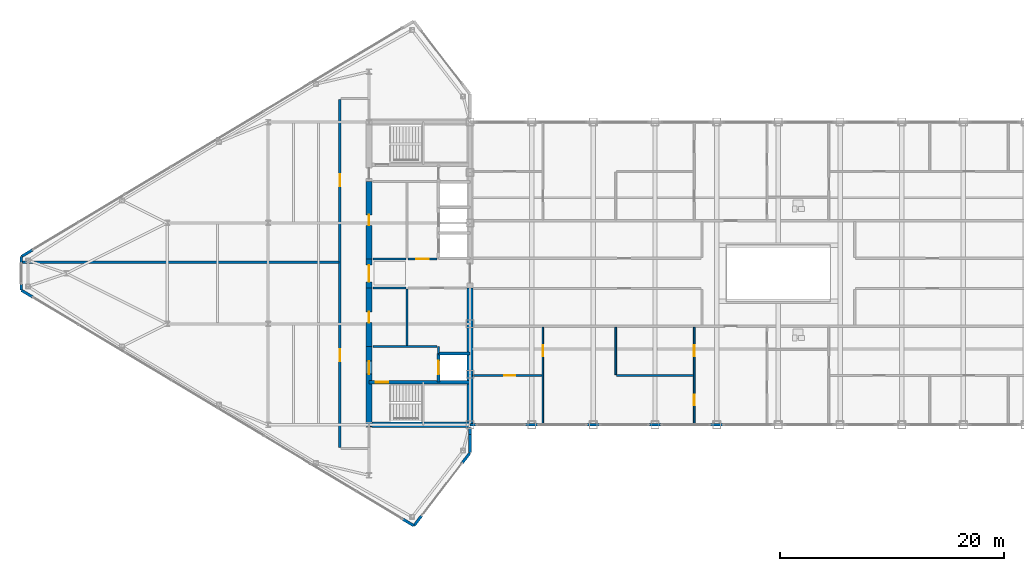
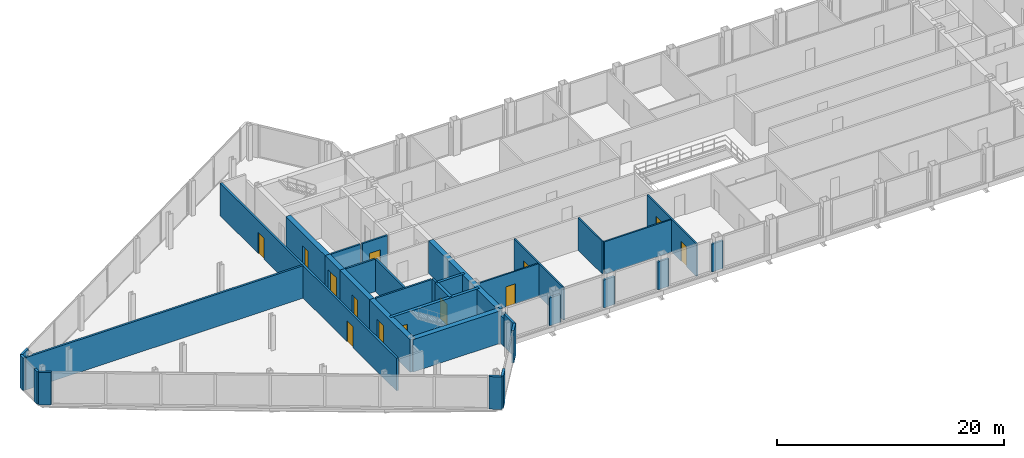
# One storey, part 21 of 28: 36 walls, 13 doors, 13 openings.
"""IFC4 building model written with IfcOpenShell, lengths in metres."""

from ifc_helpers import new_model, si_unit, direction, frame, frame_2d, origin, place, context, subcontext, project, spatial, rectangle, extrude, source, transform, mapped, material, layer, layer_set, type_object, type_shapes, element, fill, save


model = new_model("IFC4")

# Units and contexts
model_context = context("Model", 3, precision=1e-05, world=origin(), true_north=direction((0.0, 1.0)))
body_context = subcontext(model_context, "Body", "Model", "MODEL_VIEW")
ifc_project = project(units=[si_unit("LENGTHUNIT", "METRE"), si_unit("AREAUNIT", "SQUARE_METRE"), si_unit("VOLUMEUNIT", "CUBIC_METRE"), si_unit("PLANEANGLEUNIT", "RADIAN"), si_unit("MASSUNIT", "GRAM", prefix="KILO")], contexts=[model_context])

# Site, building, storey
site_placement = place(None, origin())
site = spatial("IfcSite", under=ifc_project, at=site_placement, CompositionType="ELEMENT")
building_placement = place(site_placement, origin())
building = spatial("IfcBuilding", under=site, at=building_placement, Name="Seokmaru Belvedere", CompositionType="ELEMENT")
storey_placement = place(building_placement, frame((0.0, 0.0, 265.64990234375)))
storey = spatial("IfcBuildingStorey", under=building, at=storey_placement, Name="L70", CompositionType="ELEMENT", Elevation=265.64990234375)

# Wall, opening, door
ifc_material_1 = material(Name="Fire-Rated Gypsum Shaftwall")
ifc_layer_1 = layer(ifc_material_1, 0.14990234375)
ifc_layer_set_1 = layer_set([ifc_layer_1], Name="Fire-Rated Gypsum Shaftwall")
wall_type_1 = type_object("IfcWallType", Name="Apartment Fire-Acoustic Room Partition 150", PredefinedType="PARTITIONING", material=ifc_layer_set_1)
wall_1_placement = place(storey_placement, frame((-27.2451171875, -9.10009765625, 0.0), z_axis=(0.0, 0.0, 1.0), x_axis=(1.0, 0.0, 0.0)))
wall_1 = element("IfcWall", 1, at=wall_1_placement, inside=storey, type_object=wall_type_1, Name="L70 Interior Partition 004", PredefinedType="PARTITIONING", context=body_context, shape_type="SweptSolid", body=[
    extrude(rectangle(XDim=6.16015625, YDim=0.14990234375, at=frame_2d((3.080078125, 0.0))), origin(), (0.0, 0.0, 1.0), 3.489990234375),
])
opening_1_placement = place(wall_1_placement, frame((2.820068359375, 0.0, 0.0)))
opening_1 = element("IfcOpeningElement", 2, at=opening_1_placement, cuts=wall_1, Name="Opening D05", PredefinedType="OPENING", context=body_context, shape_type="SweptSolid", body=[
    extrude(rectangle(XDim=0.949951171875, YDim=2.14990234375, at=frame_2d((0.47509765625, 1.074951171875))), frame((0.0, 0.0849609375, 0.0), z_axis=(0.0, -1.0, 0.0), x_axis=(1.0, 0.0, 0.0)), (0.0, 0.0, 1.0), 0.169921875),
])
ifc_material_2 = material(Name="Engineered White Oak Timber", Category="wood")
door_type_1 = type_object("IfcDoorType", Name="Apartment Interior Fire-Rated Oak Door 950x2150", OperationType="NOTDEFINED", PredefinedType="DOOR", material=ifc_material_2)
shared_shape_1 = source(origin(), body_context, "Body", "SweptSolid", [
    extrude(rectangle(XDim=0.949951171875, YDim=2.14990234375, at=frame_2d((0.47509765625, 1.074951171875))), frame((0.0, 0.02490234375, 0.0), z_axis=(0.0, -1.0, 0.0), x_axis=(1.0, 0.0, 0.0)), (0.0, 0.0, 1.0), 0.050048828125),
])
type_shapes(door_type_1, [shared_shape_1])
door_1_placement = place(opening_1_placement, origin())
door_1 = element("IfcDoor", 3, at=door_1_placement, inside=storey, type_object=door_type_1, Name="L70 Interior Door 024", OperationType="SINGLE_SWING_RIGHT", OverallHeight=2.14990234375, OverallWidth=0.949951171875, PredefinedType="DOOR", context=body_context, shape_type="MappedRepresentation", body=[
    mapped(shared_shape_1, transform((0.0, 0.0, 0.0), scale=1.0)),
])
fill(opening_1, door_1)

# Wall
wall_2_placement = place(storey_placement, frame((-14.4150390625, -9.10009765625, 0.0), z_axis=(0.0, 0.0, 1.0), x_axis=(1.0, 0.0, 0.0)))
element("IfcWall", 4, at=wall_2_placement, inside=storey, type_object=wall_type_1, Name="L70 Interior Partition 005", PredefinedType="PARTITIONING", context=body_context, shape_type="SweptSolid", body=[
    extrude(rectangle(XDim=6.830078125, YDim=0.14990234375, at=frame_2d((3.4150390625, 0.0))), origin(), (0.0, 0.0, 1.0), 3.489990234375),
])

# Wall, opening, door
wall_3_placement = place(storey_placement, frame((-21.0, -13.5, 0.0), z_axis=(0.0, 0.0, 1.0), x_axis=(0.0, 1.0, 0.0)))
wall_3 = element("IfcWall", 5, at=wall_3_placement, inside=storey, type_object=wall_type_1, Name="L70 Interior Partition 029", PredefinedType="PARTITIONING", context=body_context, shape_type="SweptSolid", body=[
    extrude(rectangle(XDim=8.715087890625, YDim=0.14990234375, at=frame_2d((4.357421875, 0.0))), origin(), (0.0, 0.0, 1.0), 3.489990234375),
])
opening_2_placement = place(wall_3_placement, frame((6.125, 0.0, 0.0)))
opening_2 = element("IfcOpeningElement", 6, at=opening_2_placement, cuts=wall_3, Name="Opening D05", PredefinedType="OPENING", context=body_context, shape_type="SweptSolid", body=[
    extrude(rectangle(XDim=0.949951171875, YDim=2.14990234375, at=frame_2d((0.47509765625, 1.074951171875))), frame((0.0, 0.0849609375, 0.0), z_axis=(0.0, -1.0, 0.0), x_axis=(1.0, 0.0, 0.0)), (0.0, 0.0, 1.0), 0.169921875),
])
door_2_placement = place(opening_2_placement, origin())
door_2 = element("IfcDoor", 7, at=door_2_placement, inside=storey, type_object=door_type_1, Name="L70 Interior Door 023", OperationType="SINGLE_SWING_LEFT", OverallHeight=2.14990234375, OverallWidth=0.949951171875, PredefinedType="DOOR", context=body_context, shape_type="MappedRepresentation", body=[
    mapped(shared_shape_1, transform((0.0, 0.0, 0.0), scale=1.0)),
])
fill(opening_2, door_2)

# Wall
wall_4_placement = place(storey_placement, frame((-14.5, -9.014892578125, 0.0), z_axis=(0.0, 0.0, 1.0), x_axis=(0.0, 1.0, 0.0)))
element("IfcWall", 8, at=wall_4_placement, inside=storey, type_object=wall_type_1, Name="L70 Interior Partition 031", PredefinedType="PARTITIONING", context=body_context, shape_type="SweptSolid", body=[
    extrude(rectangle(XDim=4.22998046875, YDim=0.14990234375, at=frame_2d((2.114990234375, 0.0))), origin(), (0.0, 0.0, 1.0), 3.489990234375),
])

# Wall, openings, doors
wall_5_placement = place(storey_placement, frame((-7.5, -13.5, 0.0), z_axis=(0.0, 0.0, 1.0), x_axis=(0.0, 1.0, 0.0)))
wall_5 = element("IfcWall", 9, at=wall_5_placement, inside=storey, type_object=wall_type_1, Name="L70 Interior Partition 033", PredefinedType="PARTITIONING", context=body_context, shape_type="SweptSolid", body=[
    extrude(rectangle(XDim=8.715087890625, YDim=0.14990234375, at=frame_2d((4.357421875, 0.0))), origin(), (0.0, 0.0, 1.0), 3.489990234375),
])
opening_3_placement = place(wall_5_placement, frame((6.125, 0.0, 0.0)))
opening_3 = element("IfcOpeningElement", 10, at=opening_3_placement, cuts=wall_5, Name="Opening D05", PredefinedType="OPENING", context=body_context, shape_type="SweptSolid", body=[
    extrude(rectangle(XDim=0.949951171875, YDim=2.14990234375, at=frame_2d((0.47509765625, 1.074951171875))), frame((0.0, 0.0849609375, 0.0), z_axis=(0.0, -1.0, 0.0), x_axis=(1.0, 0.0, 0.0)), (0.0, 0.0, 1.0), 0.169921875),
])
opening_4_placement = place(wall_5_placement, frame((1.72509765625, 0.0, 0.0)))
opening_4 = element("IfcOpeningElement", 11, at=opening_4_placement, cuts=wall_5, Name="Opening D05", PredefinedType="OPENING", context=body_context, shape_type="SweptSolid", body=[
    extrude(rectangle(XDim=0.949951171875, YDim=2.14990234375, at=frame_2d((0.47509765625, 1.074951171875))), frame((0.0, 0.0849609375, 0.0), z_axis=(0.0, -1.0, 0.0), x_axis=(1.0, 0.0, 0.0)), (0.0, 0.0, 1.0), 0.169921875),
])
door_3_placement = place(opening_3_placement, origin())
door_3 = element("IfcDoor", 12, at=door_3_placement, inside=storey, type_object=door_type_1, Name="L70 Interior Door 021", OperationType="SINGLE_SWING_LEFT", OverallHeight=2.14990234375, OverallWidth=0.949951171875, PredefinedType="DOOR", context=body_context, shape_type="MappedRepresentation", body=[
    mapped(shared_shape_1, transform((0.0, 0.0, 0.0), scale=1.0)),
])
fill(opening_3, door_3)
door_4_placement = place(opening_4_placement, origin())
door_4 = element("IfcDoor", 13, at=door_4_placement, inside=storey, type_object=door_type_1, Name="L70 Interior Door 022", OperationType="SINGLE_SWING_RIGHT", OverallHeight=2.14990234375, OverallWidth=0.949951171875, PredefinedType="DOOR", context=body_context, shape_type="MappedRepresentation", body=[
    mapped(shared_shape_1, transform((0.0, 0.0, 0.0), scale=1.0)),
])
fill(opening_4, door_4)

# Walls
ifc_material_3 = material(Name="Anodised Bronze Aluminium", Category="aluminium")
ifc_layer_2 = layer(ifc_material_3, 0.2099609375)
ifc_layer_set_2 = layer_set([ifc_layer_2], Name="Anodised Bronze Aluminium")
wall_type_2 = type_object("IfcWallType", Name="Bridge Column Spandrel Closure Pier 210", PredefinedType="SOLIDWALL", material=ifc_layer_set_2)
wall_6_placement = place(storey_placement, frame((-27.489990234375, -13.5, 0.0), z_axis=(0.0, 0.0, 1.0), x_axis=(1.0, 0.0, 0.0)))
element("IfcWall", 14, at=wall_6_placement, inside=storey, type_object=wall_type_2, Name="L70 Bridge South Column Closure Pier 01", PredefinedType="SOLIDWALL", context=body_context, shape_type="SweptSolid", body=[
    extrude(rectangle(XDim=0.5400390625, YDim=0.2099609375, at=frame_2d((0.27001953125, 0.0))), origin(), (0.0, 0.0, 1.0), 2.989990234375),
])
for number, where, z_axis, x_axis, name in (
    (15, (-22.550048828125, -13.5, 0.0), (0.0, 0.0, 1.0), (1.0, 0.0, 0.0), "L70 Bridge South Column Closure Pier 02"),
    (16, (-17.050048828125, -13.5, 0.0), (0.0, 0.0, 1.0), (1.0, 0.0, 0.0), "L70 Bridge South Column Closure Pier 03"),
    (17, (-11.550048828125, -13.5, 0.0), (0.0, 0.0, 1.0), (1.0, 0.0, 0.0), "L70 Bridge South Column Closure Pier 04"),
    (18, (-6.050048828125, -13.5, 0.0), (0.0, 0.0, 1.0), (1.0, 0.0, 0.0), "L70 Bridge South Column Closure Pier 05"),
):
    element("IfcWall", number, at=place(storey_placement, frame(where, z_axis=z_axis, x_axis=x_axis)), inside=storey, type_object=wall_type_2, Name=name, PredefinedType="SOLIDWALL", context=body_context, shape_type="SweptSolid", body=[
        extrude(rectangle(XDim=1.10009765625, YDim=0.2099609375, at=frame_2d((0.550048828125, 0.0))), origin(), (0.0, 0.0, 1.0), 2.989990234375),
    ])
ifc_layer_3 = layer(ifc_material_1, 0.179931640625)
ifc_layer_set_3 = layer_set([ifc_layer_3], Name="Fire-Rated Gypsum Shaftwall")
wall_type_3 = type_object("IfcWallType", Name="Core Service Fire Partition 180", PredefinedType="PARTITIONING", material=ifc_layer_set_3)
wall_7_placement = place(storey_placement, frame((-36.14990234375, -6.5, 0.0), z_axis=(0.0, 0.0, 1.0), x_axis=(1.0, 0.0, 0.0)))
element("IfcWall", 19, at=wall_7_placement, inside=storey, type_object=wall_type_3, Name="L70 West Firefighting Lobby Partition", PredefinedType="PARTITIONING", context=body_context, shape_type="SweptSolid", body=[
    extrude(rectangle(XDim=5.699951171875, YDim=0.179931640625, at=frame_2d((2.85009765625, 0.0))), origin(), (0.0, 0.0, 1.0), 3.489990234375),
])
wall_8_placement = place(storey_placement, frame((-30.300048828125, -7.1201171875, 0.0), z_axis=(0.0, 0.0, 1.0), x_axis=(0.0, 1.0, 0.0)))
element("IfcWall", 20, at=wall_8_placement, inside=storey, type_object=wall_type_3, Name="L70 West Firefighting Lobby East Closure Wall", PredefinedType="PARTITIONING", context=body_context, shape_type="SweptSolid", body=[
    extrude(rectangle(XDim=0.6201171875, YDim=0.179931640625, at=frame_2d((0.31005859375, 0.0))), origin(), (0.0, 0.0, 1.0), 3.489990234375),
])
wall_9_placement = place(storey_placement, frame((-33.10009765625, -6.419921875, 0.0), z_axis=(0.0, 0.0, 1.0), x_axis=(0.0, 1.0, 0.0)))
element("IfcWall", 21, at=wall_9_placement, inside=storey, type_object=wall_type_3, Name="L70 West South Core Service Back Wall", PredefinedType="PARTITIONING", context=body_context, shape_type="SweptSolid", body=[
    extrude(rectangle(XDim=5.0400390625, YDim=0.179931640625, at=frame_2d((2.52001953125, 0.0))), origin(), (0.0, 0.0, 1.0), 3.489990234375),
])

# Wall, opening, door
wall_10_placement = place(storey_placement, frame((-33.02001953125, 1.300048828125, 0.0), z_axis=(0.0, 0.0, 1.0), x_axis=(1.0, 0.0, 0.0)))
wall_10 = element("IfcWall", 22, at=wall_10_placement, inside=storey, type_object=wall_type_3, Name="L70 West North Lift Lobby Foyer Wall", PredefinedType="PARTITIONING", context=body_context, shape_type="SweptSolid", body=[
    extrude(rectangle(XDim=2.570068359375, YDim=0.179931640625, at=frame_2d((1.28515625, 0.0))), origin(), (0.0, 0.0, 1.0), 3.489990234375),
])
opening_5_placement = place(wall_10_placement, frame((0.7099609375, 0.0, 0.0)))
opening_5 = element("IfcOpeningElement", 23, at=opening_5_placement, cuts=wall_10, Name="Opening D02", PredefinedType="OPENING", context=body_context, shape_type="SweptSolid", body=[
    extrude(rectangle(XDim=1.14990234375, YDim=2.199951171875, at=frame_2d((0.574951171875, 1.10009765625))), frame((0.0, 0.10009765625, 0.0), z_axis=(0.0, -1.0, 0.0), x_axis=(1.0, 0.0, 0.0)), (0.0, 0.0, 1.0), 0.199951171875),
])
ifc_material_4 = material(Name="Fire-Rated Steel Leaf", Category="steel")
door_type_2 = type_object("IfcDoorType", Name="Lobby and Vestibule Fire Door 1150x2200", OperationType="NOTDEFINED", PredefinedType="DOOR", material=ifc_material_4)
shared_shape_2 = source(origin(), body_context, "Body", "SweptSolid", [
    extrude(rectangle(XDim=1.14990234375, YDim=2.199951171875, at=frame_2d((0.574951171875, 1.10009765625))), frame((0.0, 0.02490234375, 0.0), z_axis=(0.0, -1.0, 0.0), x_axis=(1.0, 0.0, 0.0)), (0.0, 0.0, 1.0), 0.050048828125),
])
type_shapes(door_type_2, [shared_shape_2])
door_5_placement = place(opening_5_placement, origin())
door_5 = element("IfcDoor", 24, at=door_5_placement, inside=storey, type_object=door_type_2, Name="L70 West North Lift Lobby Door", OperationType="SINGLE_SWING_RIGHT", OverallHeight=2.199951171875, OverallWidth=1.14990234375, PredefinedType="DOOR", context=body_context, shape_type="MappedRepresentation", body=[
    mapped(shared_shape_2, transform((0.0, 0.0, 0.0), scale=1.0)),
])
fill(opening_5, door_5)

# Walls
for number, where, z_axis, x_axis, name in (
    (25, (-36.14990234375, -1.300048828125, 0.0), (0.0, 0.0, 1.0), (1.0, 0.0, 0.0), "L70 West Foyer Side Wall S"),
    (26, (-36.14990234375, 1.300048828125, 0.0), (0.0, 0.0, 1.0), (1.0, 0.0, 0.0), "L70 West Foyer Side Wall N"),
):
    element("IfcWall", number, at=place(storey_placement, frame(where, z_axis=z_axis, x_axis=x_axis)), inside=storey, type_object=wall_type_3, Name=name, PredefinedType="PARTITIONING", context=body_context, shape_type="SweptSolid", body=[
        extrude(rectangle(XDim=2.949951171875, YDim=0.179931640625, at=frame_2d((1.47509765625, 0.0))), origin(), (0.0, 0.0, 1.0), 3.489990234375),
    ])
ifc_material_5 = material(Name="Concrete C50 (50 MPa)", Category="concrete")
ifc_layer_4 = layer(ifc_material_5, 0.25)
ifc_layer_set_4 = layer_set([ifc_layer_4], Name="Concrete C50 (50 MPa)")
wall_type_4 = type_object("IfcWallType", Name="Hoistway Transverse Concrete Divider Wall 250", PredefinedType="SHEAR", material=ifc_layer_set_4)
wall_11_placement = place(storey_placement, frame((-30.300048828125, -7.14990234375, 0.0), z_axis=(0.0, 0.0, 1.0), x_axis=(1.0, 0.0, 0.0)))
element("IfcWall", 27, at=wall_11_placement, inside=storey, type_object=wall_type_4, Name="L70 West Hoistway Divider Core Wall 1", PredefinedType="SHEAR", context=body_context, shape_type="SweptSolid", body=[
    extrude(rectangle(XDim=2.800048828125, YDim=0.25, at=frame_2d((1.39990234375, 0.0))), origin(), (0.0, 0.0, 1.0), 3.489990234375),
])
ifc_layer_5 = layer(ifc_material_1, 0.199951171875)
ifc_layer_set_5 = layer_set([ifc_layer_5], Name="Fire-Rated Gypsum Shaftwall")
wall_type_5 = type_object("IfcWallType", Name="Inter-Tenancy Fire Compartment Partition 200", PredefinedType="PARTITIONING", material=ifc_layer_set_5)
wall_12_placement = place(storey_placement, frame((-67.375, 1.0, 0.0), z_axis=(0.0, 0.0, 1.0), x_axis=(1.0, 0.0, 0.0)))
element("IfcWall", 28, at=wall_12_placement, inside=storey, type_object=wall_type_5, Name="L70 Interior Partition 015", PredefinedType="PARTITIONING", context=body_context, shape_type="SweptSolid", body=[
    extrude(rectangle(XDim=28.195068359375, YDim=0.199951171875, at=frame_2d((14.09765625, 0.0))), origin(), (0.0, 0.0, 1.0), 3.489990234375),
])

# Wall, openings, doors
wall_13_placement = place(storey_placement, frame((-39.10009765625, -15.514892578125, 0.0), z_axis=(0.0, 0.0, 1.0), x_axis=(0.0, 1.0, 0.0)))
wall_13 = element("IfcWall", 29, at=wall_13_placement, inside=storey, type_object=wall_type_5, Name="L70 Interior Partition 026", PredefinedType="PARTITIONING", context=body_context, shape_type="SweptSolid", body=[
    extrude(rectangle(XDim=31.02978515625, YDim=0.199951171875, at=frame_2d((15.514892578125, 0.0))), origin(), (0.0, 0.0, 1.0), 3.489990234375),
])
opening_6_placement = place(wall_13_placement, frame((7.68994140625, 0.0, 0.0)))
opening_6 = element("IfcOpeningElement", 30, at=opening_6_placement, cuts=wall_13, Name="Opening D03", PredefinedType="OPENING", context=body_context, shape_type="SweptSolid", body=[
    extrude(rectangle(XDim=1.050048828125, YDim=2.25, at=frame_2d((0.52490234375, 1.125))), frame((0.0, 0.10986328125, 0.0), z_axis=(0.0, -1.0, 0.0), x_axis=(1.0, 0.0, 0.0)), (0.0, 0.0, 1.0), 0.219970703125),
])
opening_7_placement = place(wall_13_placement, frame((23.2900390625, 0.0, 0.0)))
opening_7 = element("IfcOpeningElement", 31, at=opening_7_placement, cuts=wall_13, Name="Opening D03", PredefinedType="OPENING", context=body_context, shape_type="SweptSolid", body=[
    extrude(rectangle(XDim=1.050048828125, YDim=2.25, at=frame_2d((0.52490234375, 1.125))), frame((0.0, 0.10986328125, 0.0), z_axis=(0.0, -1.0, 0.0), x_axis=(1.0, 0.0, 0.0)), (0.0, 0.0, 1.0), 0.219970703125),
])
door_type_3 = type_object("IfcDoorType", Name="Apartment Entrance Fire Door 1050x2250", OperationType="NOTDEFINED", PredefinedType="DOOR", material=ifc_material_4)
shared_shape_3 = source(origin(), body_context, "Body", "SweptSolid", [
    extrude(rectangle(XDim=1.050048828125, YDim=2.25, at=frame_2d((0.52490234375, 1.125))), frame((0.0, 0.02490234375, 0.0), z_axis=(0.0, -1.0, 0.0), x_axis=(1.0, 0.0, 0.0)), (0.0, 0.0, 1.0), 0.050048828125),
])
type_shapes(door_type_3, [shared_shape_3])
door_6_placement = place(opening_6_placement, origin())
door_6 = element("IfcDoor", 32, at=door_6_placement, inside=storey, type_object=door_type_3, Name="L70 Interior Door 001", OperationType="SINGLE_SWING_RIGHT", OverallHeight=2.25, OverallWidth=1.050048828125, PredefinedType="DOOR", context=body_context, shape_type="MappedRepresentation", body=[
    mapped(shared_shape_3, transform((0.0, 0.0, 0.0), scale=1.0)),
])
fill(opening_6, door_6)
door_7_placement = place(opening_7_placement, origin())
door_7 = element("IfcDoor", 33, at=door_7_placement, inside=storey, type_object=door_type_3, Name="L70 Interior Door 002", OperationType="SINGLE_SWING_LEFT", OverallHeight=2.25, OverallWidth=1.050048828125, PredefinedType="DOOR", context=body_context, shape_type="MappedRepresentation", body=[
    mapped(shared_shape_3, transform((0.0, 0.0, 0.0), scale=1.0)),
])
fill(opening_7, door_7)

# Wall, opening, door
ifc_layer_6 = layer(ifc_material_5, 0.300048828125)
ifc_layer_set_6 = layer_set([ifc_layer_6], Name="Concrete C50 (50 MPa)")
wall_type_6 = type_object("IfcWallType", Name="Internal Core Stair and Hoistway Wall 300", PredefinedType="SHEAR", material=ifc_layer_set_6)
wall_14_placement = place(storey_placement, frame((-36.5, -9.699951171875, 0.0), z_axis=(0.0, 0.0, 1.0), x_axis=(1.0, 0.0, 0.0)))
wall_14 = element("IfcWall", 34, at=wall_14_placement, inside=storey, type_object=wall_type_6, Name="L70 West Stair ST-1 Enclosure Wall", PredefinedType="SHEAR", context=body_context, shape_type="SweptSolid", body=[
    extrude(rectangle(XDim=9.0, YDim=0.300048828125, at=frame_2d((4.5, 0.0))), origin(), (0.0, 0.0, 1.0), 3.489990234375),
])
opening_8_placement = place(wall_14_placement, frame((0.60009765625, 0.0, 0.0)))
opening_8 = element("IfcOpeningElement", 35, at=opening_8_placement, cuts=wall_14, Name="Opening D01", PredefinedType="OPENING", context=body_context, shape_type="SweptSolid", body=[
    extrude(rectangle(XDim=1.10009765625, YDim=2.199951171875, at=frame_2d((0.550048828125, 1.10009765625))), frame((0.0, 0.16015625, 0.0), z_axis=(0.0, -1.0, 0.0), x_axis=(1.0, 0.0, 0.0)), (0.0, 0.0, 1.0), 0.320068359375),
])
door_type_4 = type_object("IfcDoorType", Name="Special Escape Stair Smokeproof Fire Door 1100x2200", OperationType="NOTDEFINED", PredefinedType="DOOR", material=ifc_material_4)
shared_shape_4 = source(origin(), body_context, "Body", "SweptSolid", [
    extrude(rectangle(XDim=1.10009765625, YDim=2.199951171875, at=frame_2d((0.550048828125, 1.10009765625))), frame((0.0, 0.02490234375, 0.0), z_axis=(0.0, -1.0, 0.0), x_axis=(1.0, 0.0, 0.0)), (0.0, 0.0, 1.0), 0.050048828125),
])
type_shapes(door_type_4, [shared_shape_4])
door_8_placement = place(opening_8_placement, frame((1.10009765625, 0.0, 0.0), z_axis=(0.0, 0.0, 1.0), x_axis=(-1.0, 0.0, 0.0)))
door_8 = element("IfcDoor", 36, at=door_8_placement, inside=storey, type_object=door_type_4, Name="L70 West Special Escape Stair ST-1 Door", OperationType="SINGLE_SWING_LEFT", OverallHeight=2.199951171875, OverallWidth=1.10009765625, PredefinedType="DOOR", context=body_context, shape_type="MappedRepresentation", body=[
    mapped(shared_shape_4, transform((0.0, 0.0, 0.0), scale=1.0)),
])
fill(opening_8, door_8)

wall_15_placement = place(storey_placement, frame((-30.300048828125, -9.679931640625, 0.0), z_axis=(0.0, 0.0, 1.0), x_axis=(0.0, 1.0, 0.0)))
wall_15 = element("IfcWall", 37, at=wall_15_placement, inside=storey, type_object=wall_type_6, Name="L70 West Firefighting Lift Shaft Front Wall", PredefinedType="SHEAR", context=body_context, shape_type="SweptSolid", body=[
    extrude(rectangle(XDim=2.559814453125, YDim=0.300048828125, at=frame_2d((1.27978515625, 0.0))), origin(), (0.0, 0.0, 1.0), 3.489990234375),
])
opening_9_placement = place(wall_15_placement, frame((0.679931640625, 0.0, 0.0)))
opening_9 = element("IfcOpeningElement", 38, at=opening_9_placement, cuts=wall_15, Name="Opening LD2", PredefinedType="OPENING", context=body_context, shape_type="SweptSolid", body=[
    extrude(rectangle(XDim=1.199951171875, YDim=2.25, at=frame_2d((0.60009765625, 1.125))), frame((0.0, 0.16015625, 0.0), z_axis=(0.0, -1.0, 0.0), x_axis=(1.0, 0.0, 0.0)), (0.0, 0.0, 1.0), 0.320068359375),
])
ifc_material_6 = material(Name="Stainless Steel 316", Category="steel")
door_type_5 = type_object("IfcDoorType", Name="Firefighting Lift Sliding Landing Door 1200x2250", OperationType="DOUBLE_DOOR_SLIDING", PredefinedType="DOOR", material=ifc_material_6)
shared_shape_5 = source(origin(), body_context, "Body", "SweptSolid", [
    extrude(rectangle(XDim=1.199951171875, YDim=2.25, at=frame_2d((0.60009765625, 1.125))), frame((0.0, 0.02490234375, 0.0), z_axis=(0.0, -1.0, 0.0), x_axis=(1.0, 0.0, 0.0)), (0.0, 0.0, 1.0), 0.050048828125),
])
type_shapes(door_type_5, [shared_shape_5])
door_9_placement = place(opening_9_placement, origin())
door_9 = element("IfcDoor", 39, at=door_9_placement, inside=storey, type_object=door_type_5, Name="L70 West Firefighting Lift Landing Door", OperationType="DOUBLE_DOOR_SLIDING", OverallHeight=2.25, OverallWidth=1.199951171875, PredefinedType="DOOR", context=body_context, shape_type="MappedRepresentation", body=[
    mapped(shared_shape_5, transform((0.0, 0.0, 0.0), scale=1.0)),
])
fill(opening_9, door_9)

# Walls
ifc_layer_7 = layer(ifc_material_3, 0.239990234375)
ifc_layer_set_7 = layer_set([ifc_layer_7], Name="Anodised Bronze Aluminium")
wall_type_7 = type_object("IfcWallType", Name="Tower Corner Spandrel Closure Wall 240", PredefinedType="SOLIDWALL", material=ifc_layer_set_7)
wall_16_placement = place(storey_placement, frame((-27.5, -15.97998046875, 0.0), z_axis=(0.0, 0.0, 1.0), x_axis=(0.0, 1.0, 0.0)))
element("IfcWall", 40, at=wall_16_placement, inside=storey, type_object=wall_type_7, Name="L70 W Shoulder Closure Wall 1", PredefinedType="SOLIDWALL", context=body_context, shape_type="SweptSolid", body=[
    extrude(rectangle(XDim=1.605224609375, YDim=0.239990234375, at=frame_2d((0.802734375, 0.0))), origin(), (0.0, 0.0, 1.0), 3.489990234375),
])
wall_17_placement = place(storey_placement, frame((-27.5, -14.374755859375, 0.0), z_axis=(0.0, 0.0, 1.0), x_axis=(0.0, 1.0, 0.0)))
element("IfcWall", 41, at=wall_17_placement, inside=storey, type_object=wall_type_7, Name="L70 W Shoulder Closure Wall 1 Part 2", PredefinedType="SOLIDWALL", context=body_context, shape_type="SweptSolid", body=[
    extrude(rectangle(XDim=0.619873046875, YDim=0.239990234375, at=frame_2d((0.31005859375, 0.0))), origin(), (0.0, 0.0, 1.0), 2.989990234375),
])
wall_18_placement = place(storey_placement, frame((-66.513916015625, 2.091796875, 0.0), z_axis=(0.0, 0.0, 1.0), x_axis=(-0.85743623509, -0.514590228002, 0.0)))
element("IfcWall", 42, at=wall_18_placement, inside=storey, type_object=wall_type_7, Name="L70 W Corner Closure Pier 3B", PredefinedType="SOLIDWALL", context=body_context, shape_type="SweptSolid", body=[
    extrude(rectangle(XDim=1.14013671875, YDim=0.239990234375, at=frame_2d((0.570068359375, 0.0))), origin(), (0.0, 0.0, 1.0), 3.489990234375),
])
for number, where, z_axis, x_axis, name in (
    (43, (-67.5, 1.489990234375, 0.0), (0.0, 0.0, 1.0), (0.0, -1.0, 0.0), "L70 W Apex Closure Pier 4A"),
    (44, (-67.5, -0.949951171875, 0.0), (0.0, 0.0, 1.0), (0.0, -1.0, 0.0), "L70 W Apex Closure Pier 4B"),
):
    element("IfcWall", number, at=place(storey_placement, frame(where, z_axis=z_axis, x_axis=x_axis)), inside=storey, type_object=wall_type_7, Name=name, PredefinedType="SOLIDWALL", context=body_context, shape_type="SweptSolid", body=[
        extrude(rectangle(XDim=0.5400390625, YDim=0.239990234375, at=frame_2d((0.27001953125, 0.0))), origin(), (0.0, 0.0, 1.0), 3.489990234375),
    ])
for number, where, z_axis, x_axis, name in (
    (45, (-67.491455078125, -1.505126953125, 0.0), (0.0, 0.0, 1.0), (0.85743623509, -0.514590228002, 0.0), "L70 W Corner Closure Pier 5A"),
    (46, (-33.486083984375, -21.908203125, 0.0), (0.0, 0.0, 1.0), (0.85743623509, -0.514590228002, 0.0), "L70 W Corner Closure Pier 5B"),
    (47, (-32.493896484375, -22.4921875, 0.0), (0.0, 0.0, 1.0), (0.609617623633, 0.792695624408, 0.0), "L70 W Corner Closure Pier 6A"),
    (48, (-28.201171875, -16.91162109375, 0.0), (0.0, 0.0, 1.0), (0.609617623633, 0.792695624408, 0.0), "L70 W Corner Closure Pier 6B"),
):
    element("IfcWall", number, at=place(storey_placement, frame(where, z_axis=z_axis, x_axis=x_axis)), inside=storey, type_object=wall_type_7, Name=name, PredefinedType="SOLIDWALL", context=body_context, shape_type="SweptSolid", body=[
        extrude(rectangle(XDim=1.14013671875, YDim=0.239990234375, at=frame_2d((0.570068359375, 0.0))), origin(), (0.0, 0.0, 1.0), 3.489990234375),
    ])
ifc_layer_8 = layer(ifc_material_5, 0.5)
ifc_layer_set_8 = layer_set([ifc_layer_8], Name="Concrete C50 (50 MPa)")
wall_type_8 = type_object("IfcWallType", Name="Upper Tower Reinforced Concrete Core Wall 500", PredefinedType="SHEAR", material=ifc_layer_set_8)
wall_19_placement = place(storey_placement, frame((-27.5, -13.5, 0.0), z_axis=(0.0, 0.0, 1.0), x_axis=(0.0, 1.0, 0.0)))
element("IfcWall", 49, at=wall_19_placement, inside=storey, type_object=wall_type_8, Name="L70 West Portal Spine Core Wall South", PredefinedType="SHEAR", context=body_context, shape_type="SweptSolid", body=[
    extrude(rectangle(XDim=12.199951171875, YDim=0.5, at=frame_2d((6.10009765625, 0.0))), origin(), (0.0, 0.0, 1.0), 3.489990234375),
])
wall_20_placement = place(storey_placement, frame((-36.5, -13.5, 0.0), z_axis=(0.0, 0.0, 1.0), x_axis=(1.0, 0.0, 0.0)))
element("IfcWall", 50, at=wall_20_placement, inside=storey, type_object=wall_type_8, Name="L70 West South Core Wall", PredefinedType="SHEAR", context=body_context, shape_type="SweptSolid", body=[
    extrude(rectangle(XDim=9.0, YDim=0.5, at=frame_2d((4.5, 0.0))), origin(), (0.0, 0.0, 1.0), 3.489990234375),
])

# Wall, opening, door
wall_21_placement = place(storey_placement, frame((-36.5, -13.64990234375, 0.0), z_axis=(0.0, 0.0, 1.0), x_axis=(0.0, 1.0, 0.0)))
wall_21 = element("IfcWall", 51, at=wall_21_placement, inside=storey, type_object=wall_type_8, Name="L70 West West Core Wall FF", PredefinedType="SHEAR", context=body_context, shape_type="SweptSolid", body=[
    extrude(rectangle(XDim=7.14990234375, YDim=0.5, at=frame_2d((3.574951171875, 0.0))), origin(), (0.0, 0.0, 1.0), 3.489990234375),
])
opening_10_placement = place(wall_21_placement, frame((4.675048828125, 0.0, 0.0)))
opening_10 = element("IfcOpeningElement", 52, at=opening_10_placement, cuts=wall_21, Name="Opening D02", PredefinedType="OPENING", context=body_context, shape_type="SweptSolid", body=[
    extrude(rectangle(XDim=1.14990234375, YDim=2.199951171875, at=frame_2d((0.574951171875, 1.10009765625))), frame((0.0, 0.260009765625, 0.0), z_axis=(0.0, -1.0, 0.0), x_axis=(1.0, 0.0, 0.0)), (0.0, 0.0, 1.0), 0.52001953125),
])
door_10_placement = place(opening_10_placement, frame((1.14990234375, 0.0, 0.0), z_axis=(0.0, 0.0, 1.0), x_axis=(-1.0, 0.0, 0.0)))
door_10 = element("IfcDoor", 53, at=door_10_placement, inside=storey, type_object=door_type_2, Name="L70 West Firefighting Lobby Door", OperationType="SINGLE_SWING_LEFT", OverallHeight=2.199951171875, OverallWidth=1.14990234375, PredefinedType="DOOR", context=body_context, shape_type="MappedRepresentation", body=[
    mapped(shared_shape_2, transform((0.0, 0.0, 0.0), scale=1.0)),
])
fill(opening_10, door_10)

wall_22_placement = place(storey_placement, frame((-36.5, -1.300048828125, 0.0), z_axis=(0.0, 0.0, 1.0), x_axis=(0.0, 1.0, 0.0)))
wall_22 = element("IfcWall", 54, at=wall_22_placement, inside=storey, type_object=wall_type_8, Name="L70 West West Core Wall FOY", PredefinedType="SHEAR", context=body_context, shape_type="SweptSolid", body=[
    extrude(rectangle(XDim=2.60009765625, YDim=0.5, at=frame_2d((1.300048828125, 0.0))), origin(), (0.0, 0.0, 1.0), 3.489990234375),
])
opening_11_placement = place(wall_22_placement, frame((0.550048828125, 0.0, 0.0)))
opening_11 = element("IfcOpeningElement", 55, at=opening_11_placement, cuts=wall_22, Name="Opening D08", PredefinedType="OPENING", context=body_context, shape_type="SweptSolid", body=[
    extrude(rectangle(XDim=1.5, YDim=2.300048828125, at=frame_2d((0.75, 1.14990234375))), frame((0.0, 0.260009765625, 0.0), z_axis=(0.0, -1.0, 0.0), x_axis=(1.0, 0.0, 0.0)), (0.0, 0.0, 1.0), 0.52001953125),
])
door_type_6 = type_object("IfcDoorType", Name="Cross-Corridor Compartment Double Fire Door 1500x2300", OperationType="DOUBLE_SWING_LEFT", PredefinedType="DOOR", material=ifc_material_4)
shared_shape_6 = source(origin(), body_context, "Body", "SweptSolid", [
    extrude(rectangle(XDim=1.5, YDim=2.300048828125, at=frame_2d((0.75, 1.14990234375))), frame((0.0, 0.02490234375, 0.0), z_axis=(0.0, -1.0, 0.0), x_axis=(1.0, 0.0, 0.0)), (0.0, 0.0, 1.0), 0.050048828125),
])
type_shapes(door_type_6, [shared_shape_6])
door_11_placement = place(opening_11_placement, origin())
door_11 = element("IfcDoor", 56, at=door_11_placement, inside=storey, type_object=door_type_6, Name="L70 West Core Foyer Compartment Door", OperationType="DOUBLE_SWING_LEFT", OverallHeight=2.300048828125, OverallWidth=1.5, PredefinedType="DOOR", context=body_context, shape_type="MappedRepresentation", body=[
    mapped(shared_shape_6, transform((0.0, 0.0, 0.0), scale=1.0)),
])
fill(opening_11, door_11)

wall_23_placement = place(storey_placement, frame((-36.5, -6.5, 0.0), z_axis=(0.0, 0.0, 1.0), x_axis=(0.0, 1.0, 0.0)))
wall_23 = element("IfcWall", 57, at=wall_23_placement, inside=storey, type_object=wall_type_8, Name="L70 West West Core Wall CS1", PredefinedType="SHEAR", context=body_context, shape_type="SweptSolid", body=[
    extrude(rectangle(XDim=5.199951171875, YDim=0.5, at=frame_2d((2.60009765625, 0.0))), origin(), (0.0, 0.0, 1.0), 3.489990234375),
])
opening_12_placement = place(wall_23_placement, frame((2.125, 0.0, 0.0)))
opening_12 = element("IfcOpeningElement", 58, at=opening_12_placement, cuts=wall_23, Name="Opening D04", PredefinedType="OPENING", context=body_context, shape_type="SweptSolid", body=[
    extrude(rectangle(XDim=0.949951171875, YDim=2.14990234375, at=frame_2d((0.47509765625, 1.074951171875))), frame((0.0, 0.260009765625, 0.0), z_axis=(0.0, -1.0, 0.0), x_axis=(1.0, 0.0, 0.0)), (0.0, 0.0, 1.0), 0.52001953125),
])
door_type_7 = type_object("IfcDoorType", Name="Core Service Room Fire Door 950x2150", OperationType="NOTDEFINED", PredefinedType="DOOR", material=ifc_material_4)
shared_shape_7 = source(origin(), body_context, "Body", "SweptSolid", [
    extrude(rectangle(XDim=0.949951171875, YDim=2.14990234375, at=frame_2d((0.47509765625, 1.074951171875))), frame((0.0, 0.02490234375, 0.0), z_axis=(0.0, -1.0, 0.0), x_axis=(1.0, 0.0, 0.0)), (0.0, 0.0, 1.0), 0.050048828125),
])
type_shapes(door_type_7, [shared_shape_7])
door_12_placement = place(opening_12_placement, origin())
door_12 = element("IfcDoor", 59, at=door_12_placement, inside=storey, type_object=door_type_7, Name="L70 West Core Service Room Door 1", OperationType="SINGLE_SWING_LEFT", OverallHeight=2.14990234375, OverallWidth=0.949951171875, PredefinedType="DOOR", context=body_context, shape_type="MappedRepresentation", body=[
    mapped(shared_shape_7, transform((0.0, 0.0, 0.0), scale=1.0)),
])
fill(opening_12, door_12)

wall_24_placement = place(storey_placement, frame((-36.5, 1.300048828125, 0.0), z_axis=(0.0, 0.0, 1.0), x_axis=(0.0, 1.0, 0.0)))
wall_24 = element("IfcWall", 60, at=wall_24_placement, inside=storey, type_object=wall_type_8, Name="L70 West West Core Wall CS2", PredefinedType="SHEAR", context=body_context, shape_type="SweptSolid", body=[
    extrude(rectangle(XDim=6.89990234375, YDim=0.5, at=frame_2d((3.449951171875, 0.0))), origin(), (0.0, 0.0, 1.0), 3.489990234375),
])
opening_13_placement = place(wall_24_placement, frame((2.97509765625, 0.0, 0.0)))
opening_13 = element("IfcOpeningElement", 61, at=opening_13_placement, cuts=wall_24, Name="Opening D04", PredefinedType="OPENING", context=body_context, shape_type="SweptSolid", body=[
    extrude(rectangle(XDim=0.949951171875, YDim=2.14990234375, at=frame_2d((0.47509765625, 1.074951171875))), frame((0.0, 0.260009765625, 0.0), z_axis=(0.0, -1.0, 0.0), x_axis=(1.0, 0.0, 0.0)), (0.0, 0.0, 1.0), 0.52001953125),
])
door_13_placement = place(opening_13_placement, origin())
door_13 = element("IfcDoor", 62, at=door_13_placement, inside=storey, type_object=door_type_7, Name="L70 West Core Service Room Door 2", OperationType="SINGLE_SWING_RIGHT", OverallHeight=2.14990234375, OverallWidth=0.949951171875, PredefinedType="DOOR", context=body_context, shape_type="MappedRepresentation", body=[
    mapped(shared_shape_7, transform((0.0, 0.0, 0.0), scale=1.0)),
])
fill(opening_13, door_13)

save(model, "model.ifc")
